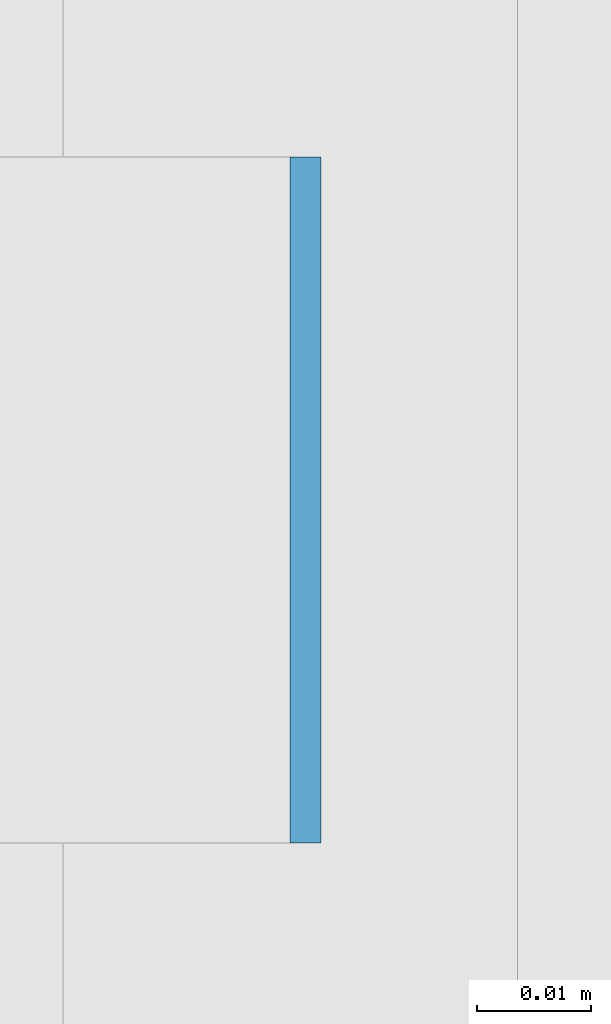
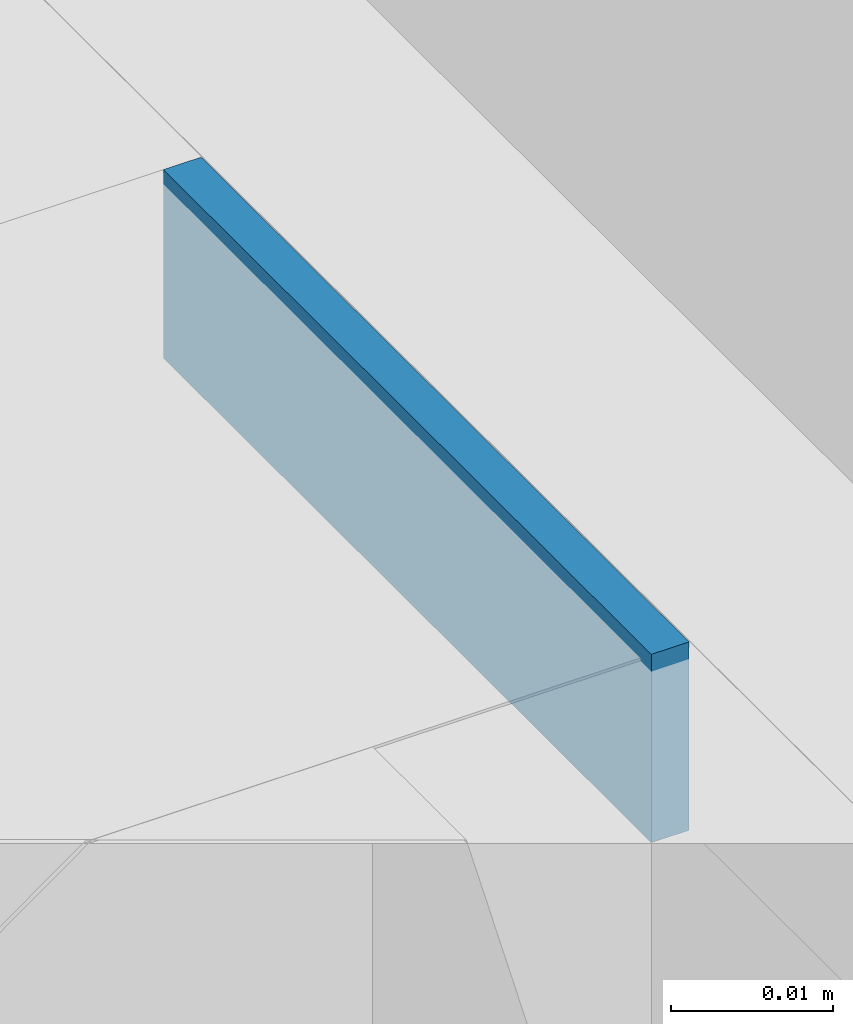
# One storey, part 277 of 646: 1 discrete accessory.
"""IFC4 building model written with IfcOpenShell, lengths in metres."""

from ifc_helpers import new_model, si_unit, direction, frame, origin, origin_2d, place, context, subcontext, project, spatial, rectangle, extrude, material, type_object, element, save


model = new_model("IFC4")

# Units and contexts
model_context = context("Model", 3, precision=1e-05, world=origin(), true_north=direction((0.0, 1.0)))
body_context = subcontext(model_context, "Body", "Model", "MODEL_VIEW")
ifc_project = project(units=[si_unit("LENGTHUNIT", "METRE"), si_unit("AREAUNIT", "SQUARE_METRE"), si_unit("VOLUMEUNIT", "CUBIC_METRE"), si_unit("PLANEANGLEUNIT", "RADIAN"), si_unit("MASSUNIT", "GRAM", prefix="KILO")], contexts=[model_context])

# Site, building, storey
site_placement = place(None, origin())
site = spatial("IfcSite", under=ifc_project, at=site_placement, CompositionType="ELEMENT")
building_placement = place(site_placement, origin())
building = spatial("IfcBuilding", under=site, at=building_placement, Name="Silverbay Arena", CompositionType="ELEMENT")
storey_placement = place(building_placement, frame((0.0, 0.0, 33.5)))
storey = spatial("IfcBuildingStorey", under=building, at=storey_placement, Name="L05", CompositionType="ELEMENT", Elevation=33.5)

# Discrete accessory
ifc_material = material(Name="Steel S355", Category="steel")
discrete_accessory_type = type_object("IfcDiscreteAccessoryType", Name="Steel bracket plate", PredefinedType="BRACKET", material=ifc_material)
discrete_accessory_placement = place(storey_placement, frame((53.871337890625, 50.142822265625, 12.98583984375), z_axis=(0.0, 0.0, 1.0), x_axis=(1.0, 0.0, 0.0)))
element("IfcDiscreteAccessory", 1, at=discrete_accessory_placement, inside=storey, type_object=discrete_accessory_type, Name="Curtain wall packing plate", PredefinedType="BRACKET", context=body_context, shape_type="SweptSolid", body=[
    extrude(rectangle(XDim=0.002685546875, YDim=0.06005859375, at=origin_2d()), origin(), (0.0, 0.0, 1.0), 0.01416015625),
])

save(model, "model.ifc")
